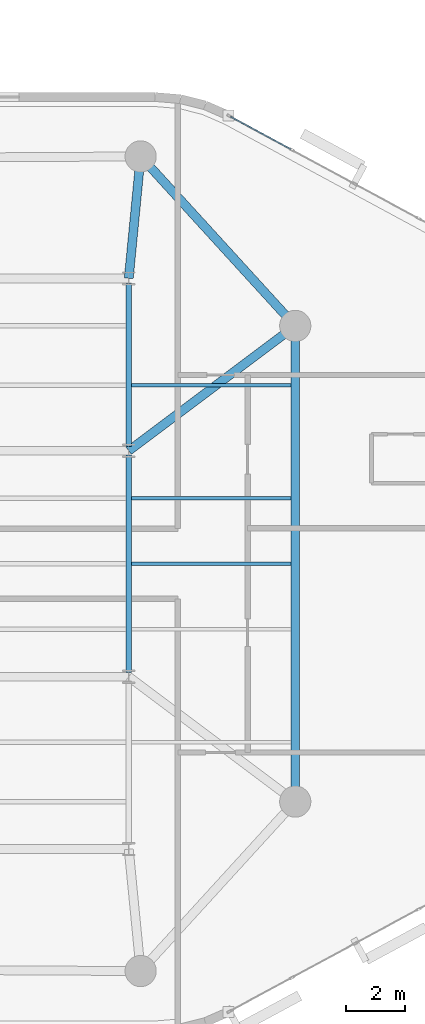
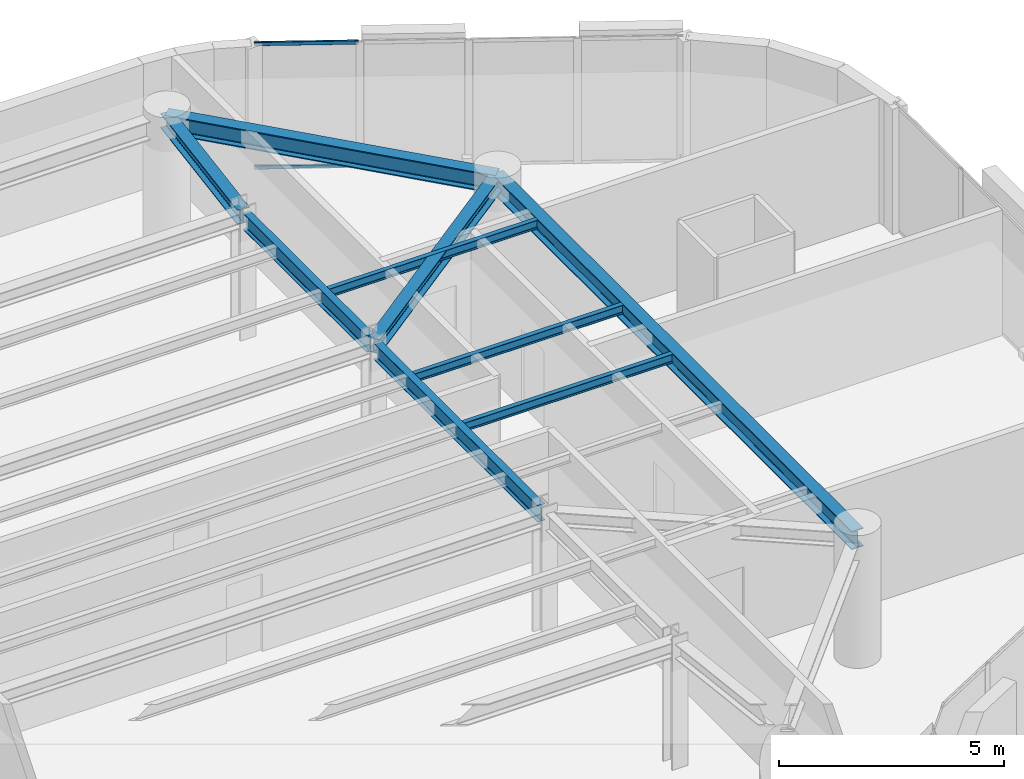
# One storey, part 5 of 13: 9 beams, 2 members, 1 element without a shape of its own.
"""IFC4 building model written with IfcOpenShell, lengths in metres."""

from ifc_helpers import new_model, si_unit, direction, frame, origin, origin_2d, place, context, subcontext, project, spatial, hollow_rectangle, i_section, extrude, material, layer, layer_set, material_profile, profile_set, type_object, element, aggregate, save


model = new_model("IFC4")

# Units and contexts
model_context = context("Model", 3, precision=1e-05, world=origin(), true_north=direction((0.0, 1.0)))
body_context = subcontext(model_context, "Body", "Model", "MODEL_VIEW")
ifc_project = project(units=[si_unit("LENGTHUNIT", "METRE"), si_unit("AREAUNIT", "SQUARE_METRE"), si_unit("VOLUMEUNIT", "CUBIC_METRE"), si_unit("PLANEANGLEUNIT", "RADIAN"), si_unit("MASSUNIT", "GRAM", prefix="KILO")], contexts=[model_context])

# Site, building, storey
site_placement = place(None, origin())
site = spatial("IfcSite", under=ifc_project, at=site_placement, CompositionType="ELEMENT")
building_placement = place(site_placement, origin())
building = spatial("IfcBuilding", under=site, at=building_placement, Name="An Khanh Terracotta Commons", CompositionType="ELEMENT")
storey_placement = place(building_placement, frame((0.0, 0.0, 233.699951171875)))
storey = spatial("IfcBuildingStorey", under=building, at=storey_placement, Name="L61", CompositionType="ELEMENT", Elevation=233.699951171875)

# Beams
ifc_material_1 = material(Name="Steel S355J2", Category="steel")
ifc_material_profile_1 = material_profile(ifc_material_1, i_section(OverallWidth=0.300048828125, OverallDepth=0.39990234375, WebThickness=0.013427734375, FlangeThickness=0.02392578125, FilletRadius=0.027099609375, at=origin_2d()), Name="HEB400")
ifc_profile_set_1 = profile_set([ifc_material_profile_1], Name="Steel S355J2")
beam_type_1 = type_object("IfcBeamType", Name="BM-HEB400", PredefinedType="BEAM", material=ifc_profile_set_1)
beam_1_placement = place(storey_placement, frame((59.60009765625, 32.0, 3.199951171875), z_axis=(-0.800008370399, -0.599988839305, 0.0), x_axis=(0.599988839305, -0.800008370399, 0.0)))
element("IfcBeam", 1, at=beam_1_placement, inside=storey, type_object=beam_type_1, Name="L61 Mega-Column Tie Girder 4", PredefinedType="BEAM", context=body_context, shape_type="SweptSolid", body=[
    extrude(i_section(OverallWidth=0.300048828125, OverallDepth=0.39990234375, WebThickness=0.013427734375, FlangeThickness=0.02392578125, FilletRadius=0.027099609375, at=origin_2d()), origin(), (0.0, 0.0, 1.0), 7.0),
])
beam_2_placement = place(storey_placement, frame((54.39990234375, 37.699951171875, 3.199951171875), z_axis=(-0.097079917443, -0.995276589511, 0.0), x_axis=(0.995276589511, -0.097079917443, 0.0)))
element("IfcBeam", 2, at=beam_2_placement, inside=storey, type_object=beam_type_1, Name="L61 Mega-Column Tie Girder 5", PredefinedType="BEAM", context=body_context, shape_type="SweptSolid", body=[
    extrude(i_section(OverallWidth=0.300048828125, OverallDepth=0.39990234375, WebThickness=0.013427734375, FlangeThickness=0.02392578125, FilletRadius=0.027099609375, at=origin_2d()), origin(), (0.0, 0.0, 1.0), 4.119384765625),
])
ifc_material_profile_2 = material_profile(ifc_material_1, i_section(OverallWidth=0.300048828125, OverallDepth=0.5, WebThickness=0.014404296875, FlangeThickness=0.028076171875, FilletRadius=0.027099609375, at=origin_2d()), Name="HEB500")
ifc_profile_set_2 = profile_set([ifc_material_profile_2], Name="Steel S355J2")
beam_type_2 = type_object("IfcBeamType", Name="BM-HEB500", PredefinedType="BEAM", material=ifc_profile_set_2)
beam_3_placement = place(storey_placement, frame((59.60009765625, 16.0, 3.150146484375), z_axis=(0.0, 1.0, 0.0), x_axis=(-1.0, 0.0, 0.0)))
element("IfcBeam", 3, at=beam_3_placement, inside=storey, type_object=beam_type_2, Name="L61 Perimeter Ring Spandrel 3", PredefinedType="BEAM", context=body_context, shape_type="SweptSolid", body=[
    extrude(i_section(OverallWidth=0.300048828125, OverallDepth=0.5, WebThickness=0.014404296875, FlangeThickness=0.028076171875, FilletRadius=0.027099609375, at=origin_2d()), origin(), (0.0, 0.0, 1.0), 16.0),
])
beam_4_placement = place(storey_placement, frame((59.60009765625, 32.0, 3.150146484375), z_axis=(-0.673978953902, 0.738750546326, 0.0), x_axis=(-0.738750546326, -0.673978953902, 0.0)))
element("IfcBeam", 4, at=beam_4_placement, inside=storey, type_object=beam_type_2, Name="L61 Perimeter Ring Spandrel 4", PredefinedType="BEAM", context=body_context, shape_type="SweptSolid", body=[
    extrude(i_section(OverallWidth=0.300048828125, OverallDepth=0.5, WebThickness=0.014404296875, FlangeThickness=0.028076171875, FilletRadius=0.027099609375, at=origin_2d()), origin(), (0.0, 0.0, 1.0), 7.715576171875),
])
ifc_material_profile_3 = material_profile(ifc_material_1, i_section(OverallWidth=0.1201171875, OverallDepth=0.239990234375, WebThickness=0.006103515625, FlangeThickness=0.009765625, FilletRadius=0.014892578125, at=origin_2d()), Name="IPE240")
ifc_profile_set_3 = profile_set([ifc_material_profile_3], Name="Steel S355J2")
beam_type_3 = type_object("IfcBeamType", Name="BM-IPE240", PredefinedType="JOIST", material=ifc_profile_set_3)
for number, where, z_axis, x_axis, name in (
    (5, (54.094970703125, 24.0, 3.280029296875), (1.0, 0.0, 0.0), (0.0, 1.0, 0.0), "L61 Riverfront Composite Joist 4"),
    (6, (54.094970703125, 26.199951171875, 3.280029296875), (1.0, 0.0, 0.0), (0.0, 1.0, 0.0), "L61 Riverfront Composite Joist 5"),
    (7, (54.094970703125, 30.0, 3.280029296875), (1.0, 0.0, 0.0), (0.0, 1.0, 0.0), "L61 Riverfront Composite Joist 6"),
):
    element("IfcBeam", number, at=place(storey_placement, frame(where, z_axis=z_axis, x_axis=x_axis)), inside=storey, type_object=beam_type_3, Name=name, PredefinedType="JOIST", context=body_context, shape_type="SweptSolid", body=[
        extrude(i_section(OverallWidth=0.1201171875, OverallDepth=0.239990234375, WebThickness=0.006103515625, FlangeThickness=0.009765625, FilletRadius=0.014892578125, at=origin_2d()), origin(), (0.0, 0.0, 1.0), 5.35498046875),
    ])
ifc_material_profile_4 = material_profile(ifc_material_1, i_section(OverallWidth=0.18994140625, OverallDepth=0.449951171875, WebThickness=0.009521484375, FlangeThickness=0.0146484375, FilletRadius=0.02099609375, at=origin_2d()), Name="IPE450")
ifc_profile_set_4 = profile_set([ifc_material_profile_4], Name="Steel S355J2")
beam_type_4 = type_object("IfcBeamType", Name="BM-IPE450", PredefinedType="JOIST", material=ifc_profile_set_4)
beam_5_placement = place(storey_placement, frame((54.0, 20.35009765625, 3.175048828125), z_axis=(0.0, 1.0, 0.0), x_axis=(-1.0, 0.0, 0.0)))
element("IfcBeam", 8, at=beam_5_placement, inside=storey, type_object=beam_type_4, Name="L61 East Spine Girder 2", PredefinedType="JOIST", context=body_context, shape_type="SweptSolid", body=[
    extrude(i_section(OverallWidth=0.18994140625, OverallDepth=0.449951171875, WebThickness=0.009521484375, FlangeThickness=0.0146484375, FilletRadius=0.02099609375, at=origin_2d()), origin(), (0.0, 0.0, 1.0), 7.2998046875),
])
beam_6_placement = place(storey_placement, frame((54.0, 27.949951171875, 3.175048828125), z_axis=(0.0, 1.0, 0.0), x_axis=(-1.0, 0.0, 0.0)))
element("IfcBeam", 9, at=beam_6_placement, inside=storey, type_object=beam_type_4, Name="L61 East Spine Girder 3", PredefinedType="JOIST", context=body_context, shape_type="SweptSolid", body=[
    extrude(i_section(OverallWidth=0.18994140625, OverallDepth=0.449951171875, WebThickness=0.009521484375, FlangeThickness=0.0146484375, FilletRadius=0.02099609375, at=origin_2d()), origin(), (0.0, 0.0, 1.0), 5.5),
])

# Curtain wall, members
ifc_material_2 = material(Name="Anodised Aluminium 6063-T6", Category="aluminium")
ifc_layer = layer(ifc_material_2, 0.2099609375, Name="Anodised Aluminium 6063-T6")
ifc_layer_set = layer_set([ifc_layer], Name="Anodised Aluminium 6063-T6")
curtain_wall_type = type_object("IfcCurtainWallType", Name="CW-SYS-03", PredefinedType="USERDEFINED", material=ifc_layer_set)
curtain_wall_placement = place(storey_placement, origin())
curtain_wall = element("IfcCurtainWall", 10, at=curtain_wall_placement, inside=storey, type_object=curtain_wall_type, Name="L61 CW-03 Unitised Curtain Wall CW-L61-16", ObjectType="UNITISED CURTAIN WALL", PredefinedType="USERDEFINED")
ifc_material_profile_5 = material_profile(ifc_material_2, hollow_rectangle(XDim=0.050048828125, YDim=0.10009765625, WallThickness=0.003173828125, InnerFilletRadius=0.003173828125, OuterFilletRadius=0.00634765625, at=origin_2d()), Name="RHS100x50x3.2")
ifc_profile_set_5 = profile_set([ifc_material_profile_5], Name="Anodised Aluminium 6063-T6")
member_type = type_object("IfcMemberType", Name="CWT-RHS100x50x3.2", PredefinedType="USERDEFINED", material=ifc_profile_set_5)
member_1_placement = place(storey_placement, frame((59.455078125, 37.94140625, 0.025146484375), z_axis=(-0.879779245677, 0.475382455373, 0.0), x_axis=(-0.475382455373, -0.879779245677, 0.0)))
member_1 = element("IfcMember", 11, at=member_1_placement, type_object=member_type, Name="CW-03 transom 4.1", ObjectType="TRANSOM", PredefinedType="USERDEFINED", context=body_context, shape_type="SweptSolid", body=[
    extrude(hollow_rectangle(XDim=0.050048828125, YDim=0.10009765625, WallThickness=0.003173828125, InnerFilletRadius=0.003173828125, OuterFilletRadius=0.00634765625, at=origin_2d()), origin(), (0.0, 0.0, 1.0), 2.314697265625),
])
member_2_placement = place(storey_placement, frame((59.455078125, 37.94140625, 3.375), z_axis=(-0.879779245677, 0.475382455373, 0.0), x_axis=(-0.475382455373, -0.879779245677, 0.0)))
member_2 = element("IfcMember", 12, at=member_2_placement, type_object=member_type, Name="CW-03 transom 4.2", ObjectType="TRANSOM", PredefinedType="USERDEFINED", context=body_context, shape_type="SweptSolid", body=[
    extrude(hollow_rectangle(XDim=0.050048828125, YDim=0.10009765625, WallThickness=0.003173828125, InnerFilletRadius=0.003173828125, OuterFilletRadius=0.00634765625, at=origin_2d()), origin(), (0.0, 0.0, 1.0), 2.314697265625),
])
aggregate(curtain_wall, [member_1, member_2])

save(model, "model.ifc")
